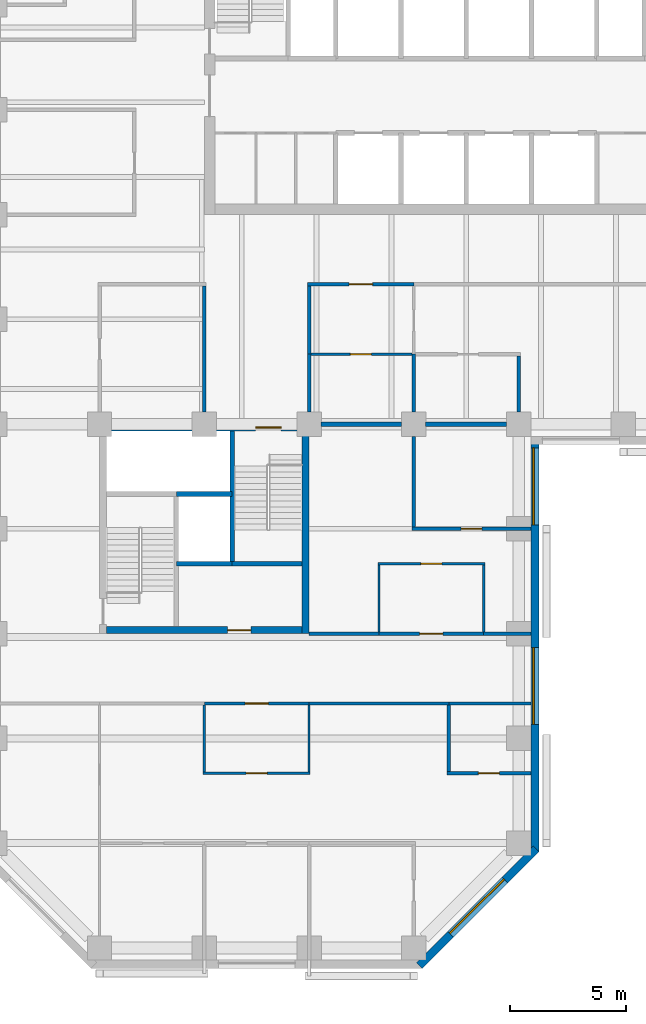
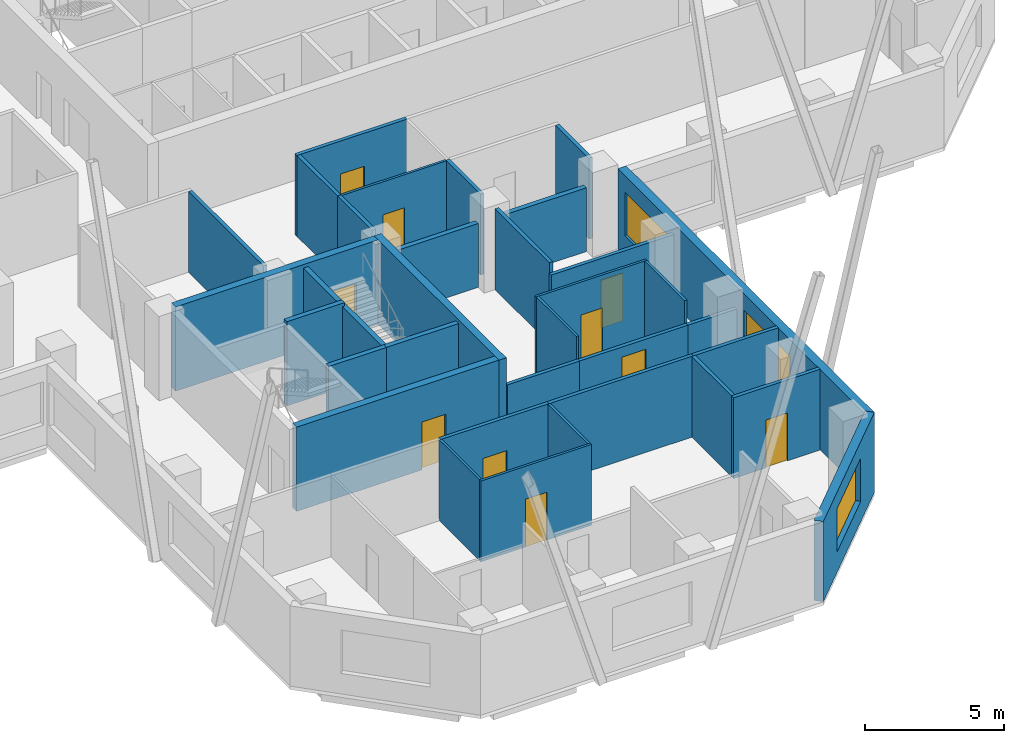
# One storey, part 4 of 11: 34 walls, 10 doors, 3 windows, 13 openings.
"""IFC4 building model written with IfcOpenShell, lengths in metres."""

from ifc_helpers import new_model, si_unit, direction, frame, frame_2d, origin, place, context, subcontext, project, spatial, rectangle, extrude, material, layer, layer_set, constituent, constituent_set, type_object, element, fill, save


model = new_model("IFC4")

# Units and contexts
model_context = context("Model", 3, precision=1e-05, world=origin(), true_north=direction((0.0, 1.0)))
body_context = subcontext(model_context, "Body", "Model", "MODEL_VIEW")
ifc_project = project(units=[si_unit("LENGTHUNIT", "METRE"), si_unit("AREAUNIT", "SQUARE_METRE"), si_unit("VOLUMEUNIT", "CUBIC_METRE"), si_unit("PLANEANGLEUNIT", "RADIAN"), si_unit("MASSUNIT", "GRAM", prefix="KILO")], contexts=[model_context])

# Site, building, storey
site_placement = place(None, origin())
site = spatial("IfcSite", under=ifc_project, at=site_placement, CompositionType="ELEMENT")
building_placement = place(site_placement, origin())
building = spatial("IfcBuilding", under=site, at=building_placement, Name="Quoin Convention Tower", CompositionType="ELEMENT")
storey_placement = place(building_placement, frame((0.0, 0.0, 82.60009765625)))
storey = spatial("IfcBuildingStorey", under=building, at=storey_placement, Name="L21", CompositionType="ELEMENT", Elevation=82.60009765625)

# Walls
ifc_material_1 = material(Name="Plasterboard")
ifc_layer_1 = layer(ifc_material_1, 0.012451171875, Name="Finish")
ifc_material_2 = material(Name="Steel stud framing", Category="steel")
ifc_layer_2 = layer(ifc_material_2, 0.125, Name="Structure")
ifc_layer_3 = layer(ifc_material_1, 0.012451171875, Name="Finish")
ifc_layer_set_1 = layer_set([ifc_layer_1, ifc_layer_2, ifc_layer_3], Name="Steel stud framing")
wall_type_1 = type_object("IfcWallType", Name="Acoustic partition 150", PredefinedType="PARTITIONING", material=ifc_layer_set_1)
wall_1_placement = place(storey_placement, frame((54.0, 36.074951171875, 0.0), z_axis=(0.0, 0.0, 1.0), x_axis=(0.0, 1.0, 0.0)))
element("IfcWall", 1, at=wall_1_placement, inside=storey, type_object=wall_type_1, Name="pw-L21-073", PredefinedType="PARTITIONING", context=body_context, shape_type="SweptSolid", body=[
    extrude(rectangle(XDim=3.900146484375, YDim=0.14990234375, at=frame_2d((1.9501953125, 0.0))), origin(), (0.0, 0.0, 1.0), 3.5498046875),
])
wall_2_placement = place(storey_placement, frame((54.0, 41.02490234375, 0.0), z_axis=(0.0, 0.0, 1.0), x_axis=(0.0, 1.0, 0.0)))
element("IfcWall", 2, at=wall_2_placement, inside=storey, type_object=wall_type_1, Name="pw-L21-078", PredefinedType="PARTITIONING", context=body_context, shape_type="SweptSolid", body=[
    extrude(rectangle(XDim=2.47509765625, YDim=0.14990234375, at=frame_2d((1.237548828125, 0.0))), origin(), (0.0, 0.0, 1.0), 3.5498046875),
])
wall_3_placement = place(storey_placement, frame((58.5, 41.02490234375, 0.0), z_axis=(0.0, 0.0, 1.0), x_axis=(0.0, 1.0, 0.0)))
element("IfcWall", 3, at=wall_3_placement, inside=storey, type_object=wall_type_1, Name="pw-L21-079", PredefinedType="PARTITIONING", context=body_context, shape_type="SweptSolid", body=[
    extrude(rectangle(XDim=2.400146484375, YDim=0.14990234375, at=frame_2d((1.2001953125, 0.0))), origin(), (0.0, 0.0, 1.0), 3.5498046875),
])

# Wall, opening, door
ifc_layer_4 = layer(ifc_material_1, 0.012451171875, Name="Finish")
ifc_layer_5 = layer(ifc_material_2, 0.125, Name="Structure")
ifc_layer_6 = layer(ifc_material_1, 0.012451171875, Name="Finish")
ifc_layer_set_2 = layer_set([ifc_layer_4, ifc_layer_5, ifc_layer_6], Name="Steel stud framing")
wall_type_2 = type_object("IfcWallType", Name="Acoustic partition 150 under beam 454", PredefinedType="PARTITIONING", material=ifc_layer_set_2)
wall_4_placement = place(storey_placement, frame((53.925048828125, 36.0, 0.0), z_axis=(0.0, 0.0, 1.0), x_axis=(1.0, 0.0, 0.0)))
wall_4 = element("IfcWall", 4, at=wall_4_placement, inside=storey, type_object=wall_type_2, Name="pw-L21-015", PredefinedType="PARTITIONING", context=body_context, shape_type="SweptSolid", body=[
    extrude(rectangle(XDim=5.099853515625, YDim=0.14990234375, at=frame_2d((2.5498046875, 0.0))), origin(), (0.0, 0.0, 1.0), 3.095947265625),
])
opening_1_placement = place(wall_4_placement, frame((2.10009765625, 0.0, 0.0)))
opening_1 = element("IfcOpeningElement", 5, at=opening_1_placement, cuts=wall_4, Name="Opening DOL1-08", PredefinedType="OPENING", context=body_context, shape_type="SweptSolid", body=[
    extrude(rectangle(XDim=0.89990234375, YDim=2.10009765625, at=frame_2d((0.449951171875, 1.050048828125))), frame((0.0, 0.0849609375, 0.0), z_axis=(0.0, -1.0, 0.0), x_axis=(1.0, 0.0, 0.0)), (0.0, 0.0, 1.0), 0.169921875),
])
ifc_material_3 = material(Name="Steel door leaf", Category="steel")
door_type_1 = type_object("IfcDoorType", Name="Office door 900 x 2100", OperationType="SINGLE_SWING_RIGHT", PredefinedType="DOOR", material=ifc_material_3)
door_1_placement = place(opening_1_placement, frame((0.89990234375, 0.0, 0.0), z_axis=(0.0, 0.0, 1.0), x_axis=(-1.0, 0.0, 0.0)))
door_1 = element("IfcDoor", 6, at=door_1_placement, inside=storey, type_object=door_type_1, Name="dr-L21-22", OperationType="SINGLE_SWING_LEFT", OverallHeight=2.10009765625, OverallWidth=0.89990234375, PredefinedType="DOOR", context=body_context, shape_type="SweptSolid", body=[
    extrude(rectangle(XDim=0.89990234375, YDim=2.10009765625, at=frame_2d((0.449951171875, 1.050048828125))), frame((0.0, 0.02490234375, 0.0), z_axis=(0.0, -1.0, 0.0), x_axis=(1.0, 0.0, 0.0)), (0.0, 0.0, 1.0), 0.050048828125),
])
fill(opening_1, door_1)

# Wall, opening, window
ifc_material_4 = material(Name="Brick masonry", Category="masonry")
ifc_layer_7 = layer(ifc_material_4, 0.35009765625)
ifc_layer_set_3 = layer_set([ifc_layer_7], Name="Brick masonry")
wall_type_3 = type_object("IfcWallType", Name="Brick facade wall", PredefinedType="STANDARD", material=ifc_layer_set_3)
wall_5_placement = place(storey_placement, frame((54.23876953125, 17.248779296875, 0.0), z_axis=(0.0, 0.0, 1.0), x_axis=(0.707106781187, 0.707106781187, 0.0)))
wall_5 = element("IfcWall", 7, at=wall_5_placement, inside=storey, type_object=wall_type_3, Name="fw-L21-54000_18000", PredefinedType="STANDARD", context=body_context, shape_type="SweptSolid", body=[
    extrude(rectangle(XDim=7.088623046875, YDim=0.35009765625, at=frame_2d((3.54443359375, 0.0))), origin(), (0.0, 0.0, 1.0), 3.52490234375),
])
opening_2_placement = place(wall_5_placement, frame((1.894287109375, 0.0, 0.89990234375)))
opening_2 = element("IfcOpeningElement", 8, at=opening_2_placement, cuts=wall_5, Name="Opening W-02", PredefinedType="OPENING", context=body_context, shape_type="SweptSolid", body=[
    extrude(rectangle(XDim=3.300048828125, YDim=1.89990234375, at=frame_2d((1.64990234375, 0.949951171875))), frame((0.0, 0.18505859375, 0.0), z_axis=(0.0, -1.0, 0.0), x_axis=(1.0, 0.0, 0.0)), (0.0, 0.0, 1.0), 0.3701171875),
])
ifc_material_5 = material(Name="Aluminium", Category="aluminium")
ifc_constituent_1 = constituent(ifc_material_5, Name="Frame")
ifc_material_6 = material(Name="Insulated glass", Category="glass")
ifc_constituent_2 = constituent(ifc_material_6, Name="Glazing")
ifc_constituent_set = constituent_set(constituents=[ifc_constituent_1, ifc_constituent_2], Name="Aluminium")
window_type = type_object("IfcWindowType", Name="Office window", PartitioningType="DOUBLE_PANEL_VERTICAL", PredefinedType="WINDOW", material=ifc_constituent_set)
window_1_placement = place(opening_2_placement, origin())
window_1 = element("IfcWindow", 9, at=window_1_placement, inside=storey, type_object=window_type, Name="win-L21-56745_19755", OverallHeight=1.89990234375, OverallWidth=3.300048828125, PartitioningType="SINGLE_PANEL", PredefinedType="WINDOW", context=body_context, shape_type="SweptSolid", body=[
    extrude(rectangle(XDim=3.300048828125, YDim=1.89990234375, at=frame_2d((1.64990234375, 0.949951171875))), frame((0.0, 0.0849609375, 0.0), z_axis=(0.0, -1.0, 0.0), x_axis=(1.0, 0.0, 0.0)), (0.0, 0.0, 1.0), 0.06005859375),
])
fill(opening_2, window_1)

# Wall, openings, windows
wall_6_placement = place(storey_placement, frame((59.199951171875, 22.1376953125, 0.0), z_axis=(0.0, 0.0, 1.0), x_axis=(0.0, 1.0, 0.0)))
wall_6 = element("IfcWall", 10, at=wall_6_placement, inside=storey, type_object=wall_type_3, Name="fw-L21-58500_22500", PredefinedType="STANDARD", context=body_context, shape_type="SweptSolid", body=[
    extrude(rectangle(XDim=17.83740234375, YDim=0.35009765625, at=frame_2d((8.918701171875, 0.0))), origin(), (0.0, 0.0, 1.0), 3.52490234375),
])
opening_3_placement = place(wall_6_placement, frame((5.46240234375, 0.0, 0.89990234375)))
opening_3 = element("IfcOpeningElement", 11, at=opening_3_placement, cuts=wall_6, Name="Opening W-02", PredefinedType="OPENING", context=body_context, shape_type="SweptSolid", body=[
    extrude(rectangle(XDim=3.300048828125, YDim=1.89990234375, at=frame_2d((1.64990234375, 0.949951171875))), frame((0.0, 0.18505859375, 0.0), z_axis=(0.0, -1.0, 0.0), x_axis=(1.0, 0.0, 0.0)), (0.0, 0.0, 1.0), 0.3701171875),
])
opening_4_placement = place(wall_6_placement, frame((14.037353515625, 0.0, 0.89990234375)))
opening_4 = element("IfcOpeningElement", 12, at=opening_4_placement, cuts=wall_6, Name="Opening W-02", PredefinedType="OPENING", context=body_context, shape_type="SweptSolid", body=[
    extrude(rectangle(XDim=3.300048828125, YDim=1.89990234375, at=frame_2d((1.64990234375, 0.949951171875))), frame((0.0, 0.18505859375, 0.0), z_axis=(0.0, -1.0, 0.0), x_axis=(1.0, 0.0, 0.0)), (0.0, 0.0, 1.0), 0.3701171875),
])
window_2_placement = place(opening_3_placement, origin())
window_2 = element("IfcWindow", 13, at=window_2_placement, inside=storey, type_object=window_type, Name="win-L21-59200_29250", OverallHeight=1.89990234375, OverallWidth=3.300048828125, PartitioningType="SINGLE_PANEL", PredefinedType="WINDOW", context=body_context, shape_type="SweptSolid", body=[
    extrude(rectangle(XDim=3.300048828125, YDim=1.89990234375, at=frame_2d((1.64990234375, 0.949951171875))), frame((0.0, 0.0849609375, 0.0), z_axis=(0.0, -1.0, 0.0), x_axis=(1.0, 0.0, 0.0)), (0.0, 0.0, 1.0), 0.06005859375),
])
fill(opening_3, window_2)
window_3_placement = place(opening_4_placement, origin())
window_3 = element("IfcWindow", 14, at=window_3_placement, inside=storey, type_object=window_type, Name="win-L21-59200_38250", OverallHeight=1.89990234375, OverallWidth=3.300048828125, PartitioningType="SINGLE_PANEL", PredefinedType="WINDOW", context=body_context, shape_type="SweptSolid", body=[
    extrude(rectangle(XDim=3.300048828125, YDim=1.89990234375, at=frame_2d((1.64990234375, 0.949951171875))), frame((0.0, 0.0849609375, 0.0), z_axis=(0.0, -1.0, 0.0), x_axis=(1.0, 0.0, 0.0)), (0.0, 0.0, 1.0), 0.06005859375),
])
fill(opening_4, window_3)

# Walls
ifc_material_7 = material(Name="Concrete C50", Category="concrete")
ifc_layer_8 = layer(ifc_material_7, 0.199951171875)
ifc_layer_set_4 = layer_set([ifc_layer_8], Name="Concrete C50")
wall_type_4 = type_object("IfcWallType", Name="Core shaft wall", PredefinedType="SOLIDWALL", material=ifc_layer_set_4)
wall_7_placement = place(storey_placement, frame((43.800048828125, 34.5, 0.0), z_axis=(0.0, 0.0, 1.0), x_axis=(1.0, 0.0, 0.0)))
element("IfcWall", 15, at=wall_7_placement, inside=storey, type_object=wall_type_4, Name="cr-P3-L21-h3000_3300", PredefinedType="SOLIDWALL", context=body_context, shape_type="SweptSolid", body=[
    extrude(rectangle(XDim=2.39990234375, YDim=0.199951171875, at=frame_2d((1.199951171875, 0.0))), origin(), (0.0, 0.0, 1.0), 3.5498046875),
])
wall_8_placement = place(storey_placement, frame((46.199951171875, 34.5, 0.0), z_axis=(0.0, 0.0, 1.0), x_axis=(1.0, 0.0, 0.0)))
element("IfcWall", 16, at=wall_8_placement, inside=storey, type_object=wall_type_4, Name="cr-P3-L21-h3000_5700", PredefinedType="SOLIDWALL", context=body_context, shape_type="SweptSolid", body=[
    extrude(rectangle(XDim=3.0, YDim=0.199951171875, at=frame_2d((1.5, 0.0))), origin(), (0.0, 0.0, 1.0), 3.5498046875),
])
wall_9_placement = place(storey_placement, frame((46.199951171875, 34.5, 0.0), z_axis=(0.0, 0.0, 1.0), x_axis=(0.0, 1.0, 0.0)))
element("IfcWall", 17, at=wall_9_placement, inside=storey, type_object=wall_type_4, Name="cr-P3-L21-v5700_3000", PredefinedType="SOLIDWALL", context=body_context, shape_type="SweptSolid", body=[
    extrude(rectangle(XDim=5.699951171875, YDim=0.199951171875, at=frame_2d((2.85009765625, 0.0))), origin(), (0.0, 0.0, 1.0), 3.5498046875),
])
ifc_layer_9 = layer(ifc_material_7, 0.199951171875)
ifc_layer_set_5 = layer_set([ifc_layer_9], Name="Concrete C50")
wall_type_5 = type_object("IfcWallType", Name="Core shaft wall to the floor level over", PredefinedType="SOLIDWALL", material=ifc_layer_set_5)
wall_10_placement = place(storey_placement, frame((43.800048828125, 37.5, 0.0), z_axis=(0.0, 0.0, 1.0), x_axis=(1.0, 0.0, 0.0)))
element("IfcWall", 18, at=wall_10_placement, inside=storey, type_object=wall_type_5, Name="cr-P3-L21-h6000_3300", PredefinedType="SOLIDWALL", context=body_context, shape_type="SweptSolid", body=[
    extrude(rectangle(XDim=2.39990234375, YDim=0.199951171875, at=frame_2d((1.199951171875, 0.0))), origin(), (0.0, 0.0, 1.0), 3.699951171875),
])

# Wall, opening, door
ifc_layer_10 = layer(ifc_material_1, 0.012451171875, Name="Finish")
ifc_layer_11 = layer(ifc_material_2, 0.125, Name="Structure")
ifc_layer_12 = layer(ifc_material_1, 0.012451171875, Name="Finish")
ifc_layer_set_6 = layer_set([ifc_layer_10, ifc_layer_11, ifc_layer_12], Name="Steel stud framing")
wall_type_6 = type_object("IfcWallType", Name="Corridor wall 150", PredefinedType="PARTITIONING", material=ifc_layer_set_6)
wall_11_placement = place(storey_placement, frame((45.0, 28.5, 0.0), z_axis=(0.0, 0.0, 1.0), x_axis=(1.0, 0.0, 0.0)))
wall_11 = element("IfcWall", 19, at=wall_11_placement, inside=storey, type_object=wall_type_6, Name="pw-L21-008", PredefinedType="PARTITIONING", context=body_context, shape_type="SweptSolid", body=[
    extrude(rectangle(XDim=4.5, YDim=0.14990234375, at=frame_2d((2.25, 0.0))), origin(), (0.0, 0.0, 1.0), 3.5498046875),
])
opening_5_placement = place(wall_11_placement, frame((1.75, 0.0, 0.0)))
opening_5 = element("IfcOpeningElement", 20, at=opening_5_placement, cuts=wall_11, Name="Opening DOL1-05", PredefinedType="OPENING", context=body_context, shape_type="SweptSolid", body=[
    extrude(rectangle(XDim=1.0, YDim=2.10009765625, at=frame_2d((0.5, 1.050048828125))), frame((0.0, 0.0849609375, 0.0), z_axis=(0.0, -1.0, 0.0), x_axis=(1.0, 0.0, 0.0)), (0.0, 0.0, 1.0), 0.169921875),
])
door_type_2 = type_object("IfcDoorType", Name="Tenancy entrance door 1000 x 2100", OperationType="DOUBLE_DOOR_SINGLE_SWING", PredefinedType="DOOR", material=ifc_material_3)
door_2_placement = place(opening_5_placement, frame((1.0, 0.0, 0.0), z_axis=(0.0, 0.0, 1.0), x_axis=(-1.0, 0.0, 0.0)))
door_2 = element("IfcDoor", 21, at=door_2_placement, inside=storey, type_object=door_type_2, Name="dr-L21-13", OperationType="DOUBLE_DOOR_SINGLE_SWING", OverallHeight=2.10009765625, OverallWidth=1.0, PredefinedType="DOOR", context=body_context, shape_type="SweptSolid", body=[
    extrude(rectangle(XDim=1.0, YDim=2.10009765625, at=frame_2d((0.5, 1.050048828125))), frame((0.0, 0.02490234375, 0.0), z_axis=(0.0, -1.0, 0.0), x_axis=(1.0, 0.0, 0.0)), (0.0, 0.0, 1.0), 0.050048828125),
])
fill(opening_5, door_2)

# Walls
wall_12_placement = place(storey_placement, frame((49.5, 28.5, 0.0), z_axis=(0.0, 0.0, 1.0), x_axis=(1.0, 0.0, 0.0)))
element("IfcWall", 22, at=wall_12_placement, inside=storey, type_object=wall_type_6, Name="pw-L21-009", PredefinedType="PARTITIONING", context=body_context, shape_type="SweptSolid", body=[
    extrude(rectangle(XDim=6.0, YDim=0.14990234375, at=frame_2d((3.0, 0.0))), origin(), (0.0, 0.0, 1.0), 3.5498046875),
])
wall_13_placement = place(storey_placement, frame((55.5, 28.5, 0.0), z_axis=(0.0, 0.0, 1.0), x_axis=(1.0, 0.0, 0.0)))
element("IfcWall", 23, at=wall_13_placement, inside=storey, type_object=wall_type_6, Name="pw-L21-010", PredefinedType="PARTITIONING", context=body_context, shape_type="SweptSolid", body=[
    extrude(rectangle(XDim=3.52490234375, YDim=0.14990234375, at=frame_2d((1.762451171875, 0.0))), origin(), (0.0, 0.0, 1.0), 3.5498046875),
])

# Wall, opening, door
wall_14_placement = place(storey_placement, frame((49.425048828125, 46.5, 0.0), z_axis=(0.0, 0.0, 1.0), x_axis=(1.0, 0.0, 0.0)))
wall_14 = element("IfcWall", 24, at=wall_14_placement, inside=storey, type_object=wall_type_6, Name="pw-L21-025", PredefinedType="PARTITIONING", context=body_context, shape_type="SweptSolid", body=[
    extrude(rectangle(XDim=4.574951171875, YDim=0.14990234375, at=frame_2d((2.28759765625, 0.0))), origin(), (0.0, 0.0, 1.0), 3.5498046875),
])
opening_6_placement = place(wall_14_placement, frame((1.800048828125, 0.0, 0.0)))
opening_6 = element("IfcOpeningElement", 25, at=opening_6_placement, cuts=wall_14, Name="Opening DOL1-11", PredefinedType="OPENING", context=body_context, shape_type="SweptSolid", body=[
    extrude(rectangle(XDim=1.0, YDim=2.10009765625, at=frame_2d((0.5, 1.050048828125))), frame((0.0, 0.0849609375, 0.0), z_axis=(0.0, -1.0, 0.0), x_axis=(1.0, 0.0, 0.0)), (0.0, 0.0, 1.0), 0.169921875),
])
door_3_placement = place(opening_6_placement, frame((1.0, 0.0, 0.0), z_axis=(0.0, 0.0, 1.0), x_axis=(-1.0, 0.0, 0.0)))
door_3 = element("IfcDoor", 26, at=door_3_placement, inside=storey, type_object=door_type_2, Name="dr-L21-23", OperationType="DOUBLE_DOOR_SINGLE_SWING", OverallHeight=2.10009765625, OverallWidth=1.0, PredefinedType="DOOR", context=body_context, shape_type="SweptSolid", body=[
    extrude(rectangle(XDim=1.0, YDim=2.10009765625, at=frame_2d((0.5, 1.050048828125))), frame((0.0, 0.02490234375, 0.0), z_axis=(0.0, -1.0, 0.0), x_axis=(1.0, 0.0, 0.0)), (0.0, 0.0, 1.0), 0.050048828125),
])
fill(opening_6, door_3)

# Walls
wall_15_placement = place(storey_placement, frame((45.0, 41.02490234375, 0.0), z_axis=(0.0, 0.0, 1.0), x_axis=(0.0, 1.0, 0.0)))
element("IfcWall", 27, at=wall_15_placement, inside=storey, type_object=wall_type_6, Name="pw-L21-076", PredefinedType="PARTITIONING", context=body_context, shape_type="SweptSolid", body=[
    extrude(rectangle(XDim=5.400146484375, YDim=0.14990234375, at=frame_2d((2.7001953125, 0.0))), origin(), (0.0, 0.0, 1.0), 3.5498046875),
])
wall_16_placement = place(storey_placement, frame((49.5, 41.02490234375, 0.0), z_axis=(0.0, 0.0, 1.0), x_axis=(0.0, 1.0, 0.0)))
element("IfcWall", 28, at=wall_16_placement, inside=storey, type_object=wall_type_6, Name="pw-L21-077", PredefinedType="PARTITIONING", context=body_context, shape_type="SweptSolid", body=[
    extrude(rectangle(XDim=2.47509765625, YDim=0.14990234375, at=frame_2d((1.237548828125, 0.0))), origin(), (0.0, 0.0, 1.0), 3.5498046875),
])
wall_17_placement = place(storey_placement, frame((49.5, 43.5, 0.0), z_axis=(0.0, 0.0, 1.0), x_axis=(0.0, 1.0, 0.0)))
element("IfcWall", 29, at=wall_17_placement, inside=storey, type_object=wall_type_6, Name="pw-L21-080", PredefinedType="PARTITIONING", context=body_context, shape_type="SweptSolid", body=[
    extrude(rectangle(XDim=2.925048828125, YDim=0.14990234375, at=frame_2d((1.46240234375, 0.0))), origin(), (0.0, 0.0, 1.0), 3.5498046875),
])
ifc_layer_13 = layer(ifc_material_1, 0.012451171875, Name="Finish")
ifc_layer_14 = layer(ifc_material_2, 0.125, Name="Structure")
ifc_layer_15 = layer(ifc_material_1, 0.012451171875, Name="Finish")
ifc_layer_set_7 = layer_set([ifc_layer_13, ifc_layer_14, ifc_layer_15], Name="Steel stud framing")
wall_type_7 = type_object("IfcWallType", Name="Corridor wall 150 under beam 1000", PredefinedType="PARTITIONING", material=ifc_layer_set_7)
wall_18_placement = place(storey_placement, frame((49.5, 31.5, 0.0), z_axis=(0.0, 0.0, 1.0), x_axis=(1.0, 0.0, 0.0)))
element("IfcWall", 30, at=wall_18_placement, inside=storey, type_object=wall_type_7, Name="pw-L21-011", PredefinedType="PARTITIONING", context=body_context, shape_type="SweptSolid", body=[
    extrude(rectangle(XDim=3.0, YDim=0.14990234375, at=frame_2d((1.5, 0.0))), origin(), (0.0, 0.0, 1.0), 2.5498046875),
])

# Wall, opening, door
wall_19_placement = place(storey_placement, frame((52.5, 31.5, 0.0), z_axis=(0.0, 0.0, 1.0), x_axis=(1.0, 0.0, 0.0)))
wall_19 = element("IfcWall", 31, at=wall_19_placement, inside=storey, type_object=wall_type_7, Name="pw-L21-012", PredefinedType="PARTITIONING", context=body_context, shape_type="SweptSolid", body=[
    extrude(rectangle(XDim=4.5, YDim=0.14990234375, at=frame_2d((2.25, 0.0))), origin(), (0.0, 0.0, 1.0), 2.5498046875),
])
opening_7_placement = place(wall_19_placement, frame((1.75, 0.0, 0.0)))
opening_7 = element("IfcOpeningElement", 32, at=opening_7_placement, cuts=wall_19, Name="Opening DOL1-06", PredefinedType="OPENING", context=body_context, shape_type="SweptSolid", body=[
    extrude(rectangle(XDim=1.0, YDim=2.10009765625, at=frame_2d((0.5, 1.050048828125))), frame((0.0, 0.0849609375, 0.0), z_axis=(0.0, -1.0, 0.0), x_axis=(1.0, 0.0, 0.0)), (0.0, 0.0, 1.0), 0.169921875),
])
door_4_placement = place(opening_7_placement, origin())
door_4 = element("IfcDoor", 33, at=door_4_placement, inside=storey, type_object=door_type_2, Name="dr-L21-20", OperationType="DOUBLE_DOOR_SINGLE_SWING", OverallHeight=2.10009765625, OverallWidth=1.0, PredefinedType="DOOR", context=body_context, shape_type="SweptSolid", body=[
    extrude(rectangle(XDim=1.0, YDim=2.10009765625, at=frame_2d((0.5, 1.050048828125))), frame((0.0, 0.02490234375, 0.0), z_axis=(0.0, -1.0, 0.0), x_axis=(1.0, 0.0, 0.0)), (0.0, 0.0, 1.0), 0.050048828125),
])
fill(opening_7, door_4)

# Wall
wall_20_placement = place(storey_placement, frame((57.0, 31.5, 0.0), z_axis=(0.0, 0.0, 1.0), x_axis=(1.0, 0.0, 0.0)))
element("IfcWall", 34, at=wall_20_placement, inside=storey, type_object=wall_type_7, Name="pw-L21-013", PredefinedType="PARTITIONING", context=body_context, shape_type="SweptSolid", body=[
    extrude(rectangle(XDim=2.02490234375, YDim=0.14990234375, at=frame_2d((1.012451171875, 0.0))), origin(), (0.0, 0.0, 1.0), 2.5498046875),
])

# Wall, opening, door
ifc_material_8 = material(Name="Concrete C65", Category="concrete")
ifc_layer_16 = layer(ifc_material_8, 0.300048828125)
ifc_layer_set_8 = layer_set([ifc_layer_16], Name="Concrete C65")
wall_type_8 = type_object("IfcWallType", Name="RC CORE WALL 300 C65", PredefinedType="SHEAR", material=ifc_layer_set_8)
wall_21_placement = place(storey_placement, frame((40.800048828125, 31.64990234375, 0.0), z_axis=(0.0, 0.0, 1.0), x_axis=(1.0, 0.0, 0.0)))
wall_21 = element("IfcWall", 35, at=wall_21_placement, inside=storey, type_object=wall_type_8, Name="cwl-P3-L21-S", PredefinedType="SHEAR", context=body_context, shape_type="SweptSolid", body=[
    extrude(rectangle(XDim=8.39990234375, YDim=0.300048828125, at=frame_2d((4.199951171875, 0.0))), origin(), (0.0, 0.0, 1.0), 3.699951171875),
])
opening_8_placement = place(wall_21_placement, frame((5.199951171875, 0.0, 0.0)))
opening_8 = element("IfcOpeningElement", 36, at=opening_8_placement, cuts=wall_21, Name="Opening DCV1-51", PredefinedType="OPENING", context=body_context, shape_type="SweptSolid", body=[
    extrude(rectangle(XDim=1.0, YDim=2.10009765625, at=frame_2d((0.5, 1.050048828125))), frame((0.0, 0.159912109375, 0.0), z_axis=(0.0, -1.0, 0.0), x_axis=(1.0, 0.0, 0.0)), (0.0, 0.0, 1.0), 0.320068359375),
])
door_type_3 = type_object("IfcDoorType", Name="Service door 1000 x 2100", OperationType="SINGLE_SWING_LEFT", PredefinedType="DOOR", material=ifc_material_3)
door_5_placement = place(opening_8_placement, origin())
door_5 = element("IfcDoor", 37, at=door_5_placement, inside=storey, type_object=door_type_3, Name="cd-P3-L21-R2-S", OperationType="SINGLE_SWING_LEFT", OverallHeight=2.10009765625, OverallWidth=1.0, PredefinedType="DOOR", context=body_context, shape_type="SweptSolid", body=[
    extrude(rectangle(XDim=1.0, YDim=2.10009765625, at=frame_2d((0.5, 1.050048828125))), frame((0.0, 0.02490234375, 0.0), z_axis=(0.0, -1.0, 0.0), x_axis=(1.0, 0.0, 0.0)), (0.0, 0.0, 1.0), 0.050048828125),
])
fill(opening_8, door_5)

wall_22_placement = place(storey_placement, frame((40.800048828125, 40.35009765625, 0.0), z_axis=(0.0, 0.0, 1.0), x_axis=(1.0, 0.0, 0.0)))
wall_22 = element("IfcWall", 38, at=wall_22_placement, inside=storey, type_object=wall_type_8, Name="cwl-P3-L21-N", PredefinedType="SHEAR", context=body_context, shape_type="SweptSolid", body=[
    extrude(rectangle(XDim=8.39990234375, YDim=0.300048828125, at=frame_2d((4.199951171875, 0.0))), origin(), (0.0, 0.0, 1.0), 3.699951171875),
])
opening_9_placement = place(wall_22_placement, frame((6.39990234375, 0.0, 0.0)))
opening_9 = element("IfcOpeningElement", 39, at=opening_9_placement, cuts=wall_22, Name="Opening SD6", PredefinedType="OPENING", context=body_context, shape_type="SweptSolid", body=[
    extrude(rectangle(XDim=1.10009765625, YDim=2.10009765625, at=frame_2d((0.550048828125, 1.050048828125))), frame((0.0, 0.159912109375, 0.0), z_axis=(0.0, -1.0, 0.0), x_axis=(1.0, 0.0, 0.0)), (0.0, 0.0, 1.0), 0.320068359375),
])
door_type_4 = type_object("IfcDoorType", Name="Stair door 1100 x 2100", OperationType="SINGLE_SWING_RIGHT", PredefinedType="DOOR", material=ifc_material_3)
door_6_placement = place(opening_9_placement, frame((1.10009765625, 0.0, 0.0), z_axis=(0.0, 0.0, 1.0), x_axis=(-1.0, 0.0, 0.0)))
door_6 = element("IfcDoor", 40, at=door_6_placement, inside=storey, type_object=door_type_4, Name="cd-P3-L21-SB-N", OperationType="SINGLE_SWING_LEFT", OverallHeight=2.10009765625, OverallWidth=1.10009765625, PredefinedType="DOOR", context=body_context, shape_type="SweptSolid", body=[
    extrude(rectangle(XDim=1.10009765625, YDim=2.10009765625, at=frame_2d((0.550048828125, 1.050048828125))), frame((0.0, 0.02490234375, 0.0), z_axis=(0.0, -1.0, 0.0), x_axis=(1.0, 0.0, 0.0)), (0.0, 0.0, 1.0), 0.050048828125),
])
fill(opening_9, door_6)

# Wall
wall_23_placement = place(storey_placement, frame((49.35009765625, 31.5, 0.0), z_axis=(0.0, 0.0, 1.0), x_axis=(0.0, 1.0, 0.0)))
element("IfcWall", 41, at=wall_23_placement, inside=storey, type_object=wall_type_8, Name="cwl-P3-L21-E", PredefinedType="SHEAR", context=body_context, shape_type="SweptSolid", body=[
    extrude(rectangle(XDim=9.0, YDim=0.300048828125, at=frame_2d((4.5, 0.0))), origin(), (0.0, 0.0, 1.0), 3.699951171875),
])

# Wall, opening, door
ifc_layer_17 = layer(ifc_material_1, 0.012451171875, Name="Finish")
ifc_layer_18 = layer(ifc_material_2, 0.074951171875, Name="Structure")
ifc_layer_19 = layer(ifc_material_1, 0.012451171875, Name="Finish")
ifc_layer_set_9 = layer_set([ifc_layer_17, ifc_layer_18, ifc_layer_19], Name="Steel stud framing")
wall_type_9 = type_object("IfcWallType", Name="Stud partition 100", PredefinedType="PARTITIONING", material=ifc_layer_set_9)
wall_24_placement = place(storey_placement, frame((44.949951171875, 25.5, 0.0), z_axis=(0.0, 0.0, 1.0), x_axis=(1.0, 0.0, 0.0)))
wall_24 = element("IfcWall", 42, at=wall_24_placement, inside=storey, type_object=wall_type_9, Name="pw-L21-004", PredefinedType="PARTITIONING", context=body_context, shape_type="SweptSolid", body=[
    extrude(rectangle(XDim=4.60009765625, YDim=0.10009765625, at=frame_2d((2.300048828125, 0.0))), origin(), (0.0, 0.0, 1.0), 3.5498046875),
])
opening_10_placement = place(wall_24_placement, frame((1.85009765625, 0.0, 0.0)))
opening_10 = element("IfcOpeningElement", 43, at=opening_10_placement, cuts=wall_24, Name="Opening DOL1-03", PredefinedType="OPENING", context=body_context, shape_type="SweptSolid", body=[
    extrude(rectangle(XDim=0.89990234375, YDim=2.10009765625, at=frame_2d((0.449951171875, 1.050048828125))), frame((0.0, 0.06005859375, 0.0), z_axis=(0.0, -1.0, 0.0), x_axis=(1.0, 0.0, 0.0)), (0.0, 0.0, 1.0), 0.1201171875),
])
door_7_placement = place(opening_10_placement, frame((0.89990234375, 0.0, 0.0), z_axis=(0.0, 0.0, 1.0), x_axis=(-1.0, 0.0, 0.0)))
door_7 = element("IfcDoor", 44, at=door_7_placement, inside=storey, type_object=door_type_1, Name="dr-L21-14", OperationType="SINGLE_SWING_LEFT", OverallHeight=2.10009765625, OverallWidth=0.89990234375, PredefinedType="DOOR", context=body_context, shape_type="SweptSolid", body=[
    extrude(rectangle(XDim=0.89990234375, YDim=2.10009765625, at=frame_2d((0.449951171875, 1.050048828125))), frame((0.0, 0.02490234375, 0.0), z_axis=(0.0, -1.0, 0.0), x_axis=(1.0, 0.0, 0.0)), (0.0, 0.0, 1.0), 0.050048828125),
])
fill(opening_10, door_7)

wall_25_placement = place(storey_placement, frame((52.449951171875, 34.5, 0.0), z_axis=(0.0, 0.0, 1.0), x_axis=(1.0, 0.0, 0.0)))
wall_25 = element("IfcWall", 45, at=wall_25_placement, inside=storey, type_object=wall_type_9, Name="pw-L21-014", PredefinedType="PARTITIONING", context=body_context, shape_type="SweptSolid", body=[
    extrude(rectangle(XDim=4.60009765625, YDim=0.10009765625, at=frame_2d((2.300048828125, 0.0))), origin(), (0.0, 0.0, 1.0), 3.5498046875),
])
opening_11_placement = place(wall_25_placement, frame((1.85009765625, 0.0, 0.0)))
opening_11 = element("IfcOpeningElement", 46, at=opening_11_placement, cuts=wall_25, Name="Opening DOL1-07", PredefinedType="OPENING", context=body_context, shape_type="SweptSolid", body=[
    extrude(rectangle(XDim=0.89990234375, YDim=2.10009765625, at=frame_2d((0.449951171875, 1.050048828125))), frame((0.0, 0.06005859375, 0.0), z_axis=(0.0, -1.0, 0.0), x_axis=(1.0, 0.0, 0.0)), (0.0, 0.0, 1.0), 0.1201171875),
])
door_8_placement = place(opening_11_placement, origin())
door_8 = element("IfcDoor", 47, at=door_8_placement, inside=storey, type_object=door_type_1, Name="dr-L21-21", OperationType="SINGLE_SWING_RIGHT", OverallHeight=2.10009765625, OverallWidth=0.89990234375, PredefinedType="DOOR", context=body_context, shape_type="SweptSolid", body=[
    extrude(rectangle(XDim=0.89990234375, YDim=2.10009765625, at=frame_2d((0.449951171875, 1.050048828125))), frame((0.0, 0.02490234375, 0.0), z_axis=(0.0, -1.0, 0.0), x_axis=(1.0, 0.0, 0.0)), (0.0, 0.0, 1.0), 0.050048828125),
])
fill(opening_11, door_8)

wall_26_placement = place(storey_placement, frame((49.574951171875, 43.5, 0.0), z_axis=(0.0, 0.0, 1.0), x_axis=(1.0, 0.0, 0.0)))
wall_26 = element("IfcWall", 48, at=wall_26_placement, inside=storey, type_object=wall_type_9, Name="pw-L21-018", PredefinedType="PARTITIONING", context=body_context, shape_type="SweptSolid", body=[
    extrude(rectangle(XDim=4.35009765625, YDim=0.10009765625, at=frame_2d((2.175048828125, 0.0))), origin(), (0.0, 0.0, 1.0), 3.5498046875),
])
opening_12_placement = place(wall_26_placement, frame((1.699951171875, 0.0, 0.0)))
opening_12 = element("IfcOpeningElement", 49, at=opening_12_placement, cuts=wall_26, Name="Opening DOL1-09", PredefinedType="OPENING", context=body_context, shape_type="SweptSolid", body=[
    extrude(rectangle(XDim=0.89990234375, YDim=2.10009765625, at=frame_2d((0.449951171875, 1.050048828125))), frame((0.0, 0.06005859375, 0.0), z_axis=(0.0, -1.0, 0.0), x_axis=(1.0, 0.0, 0.0)), (0.0, 0.0, 1.0), 0.1201171875),
])
door_9_placement = place(opening_12_placement, origin())
door_9 = element("IfcDoor", 50, at=door_9_placement, inside=storey, type_object=door_type_1, Name="dr-L21-25", OperationType="SINGLE_SWING_RIGHT", OverallHeight=2.10009765625, OverallWidth=0.89990234375, PredefinedType="DOOR", context=body_context, shape_type="SweptSolid", body=[
    extrude(rectangle(XDim=0.89990234375, YDim=2.10009765625, at=frame_2d((0.449951171875, 1.050048828125))), frame((0.0, 0.02490234375, 0.0), z_axis=(0.0, -1.0, 0.0), x_axis=(1.0, 0.0, 0.0)), (0.0, 0.0, 1.0), 0.050048828125),
])
fill(opening_12, door_9)

# Walls
for number, where, z_axis, x_axis, name in (
    (51, (45.0, 25.550048828125, 0.0), (0.0, 0.0, 1.0), (0.0, 1.0, 0.0), "pw-L21-068"),
    (52, (49.5, 25.550048828125, 0.0), (0.0, 0.0, 1.0), (0.0, 1.0, 0.0), "pw-L21-069"),
    (53, (52.5, 31.574951171875, 0.0), (0.0, 0.0, 1.0), (0.0, 1.0, 0.0), "pw-L21-071"),
    (54, (57.0, 31.574951171875, 0.0), (0.0, 0.0, 1.0), (0.0, 1.0, 0.0), "pw-L21-072"),
):
    element("IfcWall", number, at=place(storey_placement, frame(where, z_axis=z_axis, x_axis=x_axis)), inside=storey, type_object=wall_type_9, Name=name, PredefinedType="PARTITIONING", context=body_context, shape_type="SweptSolid", body=[
        extrude(rectangle(XDim=2.875, YDim=0.10009765625, at=frame_2d((1.4375, 0.0))), origin(), (0.0, 0.0, 1.0), 3.5498046875),
    ])
ifc_layer_20 = layer(ifc_material_1, 0.012451171875, Name="Finish")
ifc_layer_21 = layer(ifc_material_2, 0.175048828125, Name="Structure")
ifc_layer_22 = layer(ifc_material_1, 0.012451171875, Name="Finish")
ifc_layer_set_10 = layer_set([ifc_layer_20, ifc_layer_21, ifc_layer_22], Name="Steel stud framing")
wall_type_10 = type_object("IfcWallType", Name="Tenancy demising wall 200 under beam 750", PredefinedType="PARTITIONING", material=ifc_layer_set_10)
wall_27_placement = place(storey_placement, frame((50.014892578125, 40.5, 0.0), z_axis=(0.0, 0.0, 1.0), x_axis=(1.0, 0.0, 0.0)))
element("IfcWall", 55, at=wall_27_placement, inside=storey, type_object=wall_type_10, Name="pw-L21-016", PredefinedType="PARTITIONING", context=body_context, shape_type="SweptSolid", body=[
    extrude(rectangle(XDim=3.460205078125, YDim=0.199951171875, at=frame_2d((1.72998046875, 0.0))), origin(), (0.0, 0.0, 1.0), 2.7998046875),
])
wall_28_placement = place(storey_placement, frame((54.4951171875, 40.5, 0.0), z_axis=(0.0, 0.0, 1.0), x_axis=(1.0, 0.0, 0.0)))
element("IfcWall", 56, at=wall_28_placement, inside=storey, type_object=wall_type_10, Name="pw-L21-017", PredefinedType="PARTITIONING", context=body_context, shape_type="SweptSolid", body=[
    extrude(rectangle(XDim=3.47998046875, YDim=0.199951171875, at=frame_2d((1.739990234375, 0.0))), origin(), (0.0, 0.0, 1.0), 2.7998046875),
])

# Wall, opening, door
ifc_layer_23 = layer(ifc_material_1, 0.012451171875, Name="Finish")
ifc_layer_24 = layer(ifc_material_2, 0.125, Name="Structure")
ifc_layer_25 = layer(ifc_material_1, 0.012451171875, Name="Finish")
ifc_layer_set_11 = layer_set([ifc_layer_23, ifc_layer_24, ifc_layer_25], Name="Steel stud framing")
wall_type_11 = type_object("IfcWallType", Name="Wet area partition 150", PredefinedType="PARTITIONING", material=ifc_layer_set_11)
wall_29_placement = place(storey_placement, frame((55.425048828125, 25.5, 0.0), z_axis=(0.0, 0.0, 1.0), x_axis=(1.0, 0.0, 0.0)))
wall_29 = element("IfcWall", 57, at=wall_29_placement, inside=storey, type_object=wall_type_11, Name="pw-L21-005", PredefinedType="PARTITIONING", context=body_context, shape_type="SweptSolid", body=[
    extrude(rectangle(XDim=3.599853515625, YDim=0.14990234375, at=frame_2d((1.7998046875, 0.0))), origin(), (0.0, 0.0, 1.0), 3.5498046875),
])
opening_13_placement = place(wall_29_placement, frame((1.35009765625, 0.0, 0.0)))
opening_13 = element("IfcOpeningElement", 58, at=opening_13_placement, cuts=wall_29, Name="Opening DOL1-04", PredefinedType="OPENING", context=body_context, shape_type="SweptSolid", body=[
    extrude(rectangle(XDim=0.89990234375, YDim=2.10009765625, at=frame_2d((0.449951171875, 1.050048828125))), frame((0.0, 0.0849609375, 0.0), z_axis=(0.0, -1.0, 0.0), x_axis=(1.0, 0.0, 0.0)), (0.0, 0.0, 1.0), 0.169921875),
])
door_10_placement = place(opening_13_placement, frame((0.89990234375, 0.0, 0.0), z_axis=(0.0, 0.0, 1.0), x_axis=(-1.0, 0.0, 0.0)))
door_10 = element("IfcDoor", 59, at=door_10_placement, inside=storey, type_object=door_type_1, Name="dr-L21-17", OperationType="SINGLE_SWING_LEFT", OverallHeight=2.10009765625, OverallWidth=0.89990234375, PredefinedType="DOOR", context=body_context, shape_type="SweptSolid", body=[
    extrude(rectangle(XDim=0.89990234375, YDim=2.10009765625, at=frame_2d((0.449951171875, 1.050048828125))), frame((0.0, 0.02490234375, 0.0), z_axis=(0.0, -1.0, 0.0), x_axis=(1.0, 0.0, 0.0)), (0.0, 0.0, 1.0), 0.050048828125),
])
fill(opening_13, door_10)

# Wall
wall_30_placement = place(storey_placement, frame((55.5, 25.574951171875, 0.0), z_axis=(0.0, 0.0, 1.0), x_axis=(0.0, 1.0, 0.0)))
element("IfcWall", 60, at=wall_30_placement, inside=storey, type_object=wall_type_11, Name="pw-L21-070", PredefinedType="PARTITIONING", context=body_context, shape_type="SweptSolid", body=[
    extrude(rectangle(XDim=2.85009765625, YDim=0.14990234375, at=frame_2d((1.425048828125, 0.0))), origin(), (0.0, 0.0, 1.0), 3.5498046875),
])

save(model, "model.ifc")
